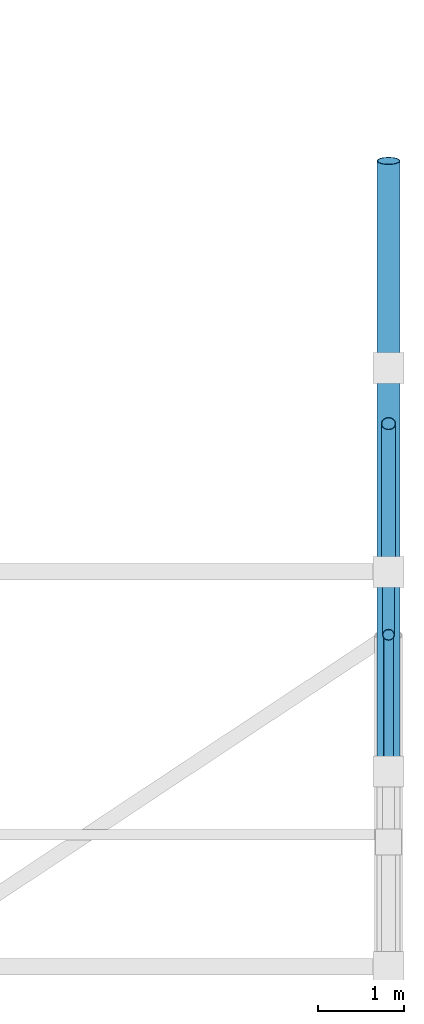
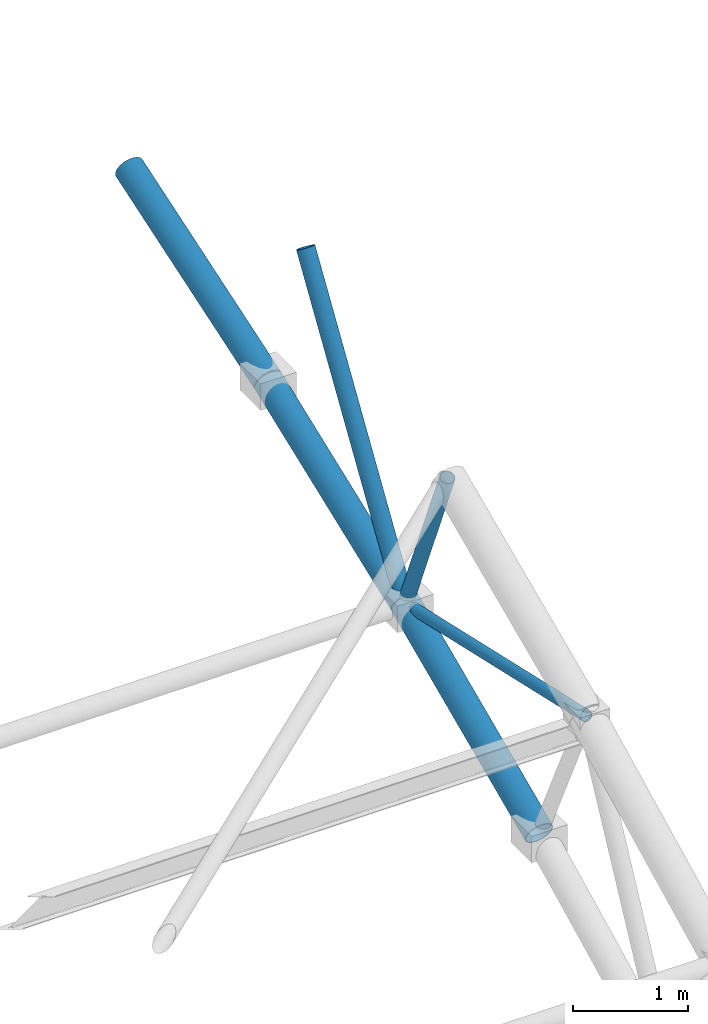
# One storey, part 54 of 89: 6 members.
"""IFC4 building model written with IfcOpenShell, lengths in metres."""

from ifc_helpers import new_model, si_unit, direction, frame, origin, origin_2d, place, context, subcontext, project, spatial, hollow_circle, extrude, material, material_profile, profile_set, type_object, element, save


model = new_model("IFC4")

# Units and contexts
model_context = context("Model", 3, precision=1e-05, world=origin(), true_north=direction((0.0, 1.0)))
body_context = subcontext(model_context, "Body", "Model", "MODEL_VIEW")
ifc_project = project(units=[si_unit("LENGTHUNIT", "METRE"), si_unit("AREAUNIT", "SQUARE_METRE"), si_unit("VOLUMEUNIT", "CUBIC_METRE"), si_unit("PLANEANGLEUNIT", "RADIAN"), si_unit("MASSUNIT", "GRAM", prefix="KILO")], contexts=[model_context])

# Site, building, storey
site_placement = place(None, origin())
site = spatial("IfcSite", under=ifc_project, at=site_placement, CompositionType="ELEMENT")
building_placement = place(site_placement, origin())
building = spatial("IfcBuilding", under=site, at=building_placement, Name="Malvenik Polytechnic", CompositionType="ELEMENT")
storey_placement = place(building_placement, frame((0.0, 0.0, 13.5)))
storey = spatial("IfcBuildingStorey", under=building, at=storey_placement, Name="L03", CompositionType="ELEMENT", Elevation=13.5)

# Members
ifc_material = material(Name="Steel S355J2H", Category="steel")
ifc_material_profile_1 = material_profile(ifc_material, hollow_circle(Radius=0.136474609375, WallThickness=0.010009765625, at=origin_2d()), Name="CHS 273.0x10.0")
ifc_profile_set_1 = profile_set([ifc_material_profile_1], Name="Steel S355J2H")
member_type_1 = type_object("IfcMemberType", Name="STR-MEM-SFB-01", PredefinedType="CHORD", material=ifc_profile_set_1)
for number, where, z_axis, x_axis, name in (
    (1, (184.800048828125, 42.643798828125, 1.647216796875), (0.0, 0.914781782252, 0.403948376479), (-1.0, 0.0, 0.0), "Space-Frame Tube SFB-01 STR-SF-BC-0686"),
    (2, (184.800048828125, 44.970458984375, 2.67431640625), (0.0, 0.933457240212, 0.358688696079), (-1.0, 0.0, 0.0), "Space-Frame Tube SFB-01 STR-SF-BC-0688"),
):
    element("IfcMember", number, at=place(storey_placement, frame(where, z_axis=z_axis, x_axis=x_axis)), inside=storey, type_object=member_type_1, Name=name, PredefinedType="CHORD", context=body_context, shape_type="SweptSolid", body=[
        extrude(hollow_circle(Radius=0.136474609375, WallThickness=0.010009765625, at=origin_2d()), origin(), (0.0, 0.0, 1.0), 2.535400390625),
    ])
member_1_placement = place(storey_placement, frame((184.800048828125, 47.3447265625, 3.58642578125), z_axis=(0.0, 0.949889677261, 0.312585349999), x_axis=(-1.0, 0.0, 0.0)))
element("IfcMember", 3, at=member_1_placement, inside=storey, type_object=member_type_1, Name="Space-Frame Tube SFB-01 STR-SF-BC-0690", PredefinedType="CHORD", context=body_context, shape_type="SweptSolid", body=[
    extrude(hollow_circle(Radius=0.136474609375, WallThickness=0.010009765625, at=origin_2d()), origin(), (0.0, 0.0, 1.0), 2.53515625),
])
ifc_material_profile_2 = material_profile(ifc_material, hollow_circle(Radius=0.084228515625, WallThickness=0.00634765625, at=origin_2d()), Name="CHS 168.3x6.3")
ifc_profile_set_2 = profile_set([ifc_material_profile_2], Name="Steel S355J2H")
member_type_2 = type_object("IfcMemberType", Name="STR-MEM-SFD-02", PredefinedType="BRACE", material=ifc_profile_set_2)
member_2_placement = place(storey_placement, frame((184.800048828125, 44.968994140625, 2.676513671875), z_axis=(0.0, 0.535421954328, 0.844584709087), x_axis=(-1.0, 0.0, 0.0)))
element("IfcMember", 4, at=member_2_placement, inside=storey, type_object=member_type_2, Name="Space-Frame Tube SFD-02 STR-SF-AD-0757", PredefinedType="BRACE", context=body_context, shape_type="SweptSolid", body=[
    extrude(hollow_circle(Radius=0.084228515625, WallThickness=0.00634765625, at=origin_2d()), origin(), (0.0, 0.0, 1.0), 3.21875),
])
ifc_material_profile_3 = material_profile(ifc_material, hollow_circle(Radius=0.06982421875, WallThickness=0.00634765625, at=origin_2d()), Name="CHS 139.7x6.3")
ifc_profile_set_3 = profile_set([ifc_material_profile_3], Name="Steel S355J2H")
member_type_3 = type_object("IfcMemberType", Name="STR-MEM-SFD-03", PredefinedType="BRACE", material=ifc_profile_set_3)
member_3_placement = place(storey_placement, frame((184.800048828125, 44.96533203125, 2.6767578125), z_axis=(0.0, -0.381447924526, 0.924390329285), x_axis=(1.0, 0.0, 0.0)))
element("IfcMember", 5, at=member_3_placement, inside=storey, type_object=member_type_3, Name="Space-Frame Tube SFD-03 STR-SF-WB-0732", PredefinedType="BRACE", context=body_context, shape_type="SweptSolid", body=[
    extrude(hollow_circle(Radius=0.06982421875, WallThickness=0.00634765625, at=origin_2d()), origin(), (0.0, 0.0, 1.0), 1.9169921875),
])
ifc_material_profile_4 = material_profile(ifc_material, hollow_circle(Radius=0.05712890625, WallThickness=0.0048828125, at=origin_2d()), Name="CHS 114.3x5.0")
ifc_profile_set_4 = profile_set([ifc_material_profile_4], Name="Steel S355J2H")
member_type_4 = type_object("IfcMemberType", Name="STR-MEM-SFD-04", PredefinedType="BRACE", material=ifc_profile_set_4)
member_4_placement = place(storey_placement, frame((184.800048828125, 41.82373046875, 3.38623046875), z_axis=(0.0, 0.975202839924, -0.221312948118), x_axis=(-1.0, 0.0, 0.0)))
element("IfcMember", 6, at=member_4_placement, inside=storey, type_object=member_type_4, Name="Space-Frame Tube SFD-04 STR-SF-AD-0756", PredefinedType="BRACE", context=body_context, shape_type="SweptSolid", body=[
    extrude(hollow_circle(Radius=0.05712890625, WallThickness=0.0048828125, at=origin_2d()), origin(), (0.0, 0.0, 1.0), 3.218994140625),
])

save(model, "model.ifc")
